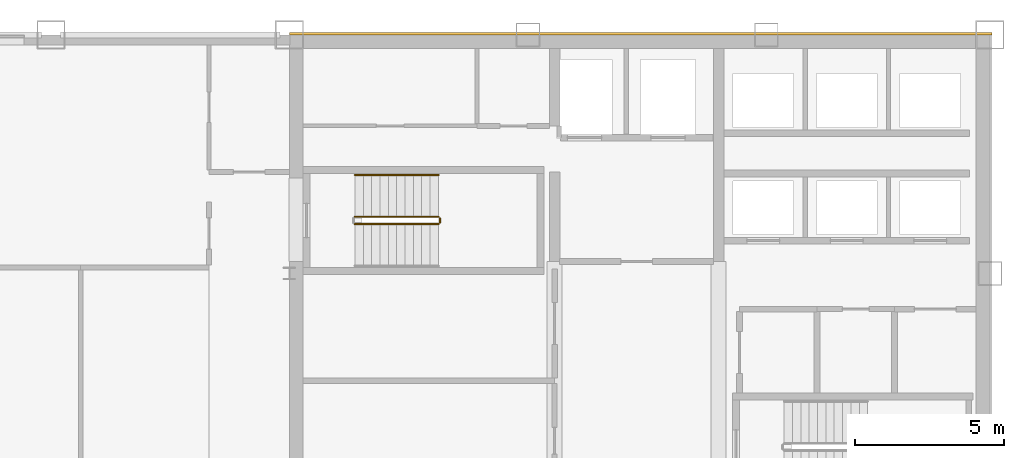
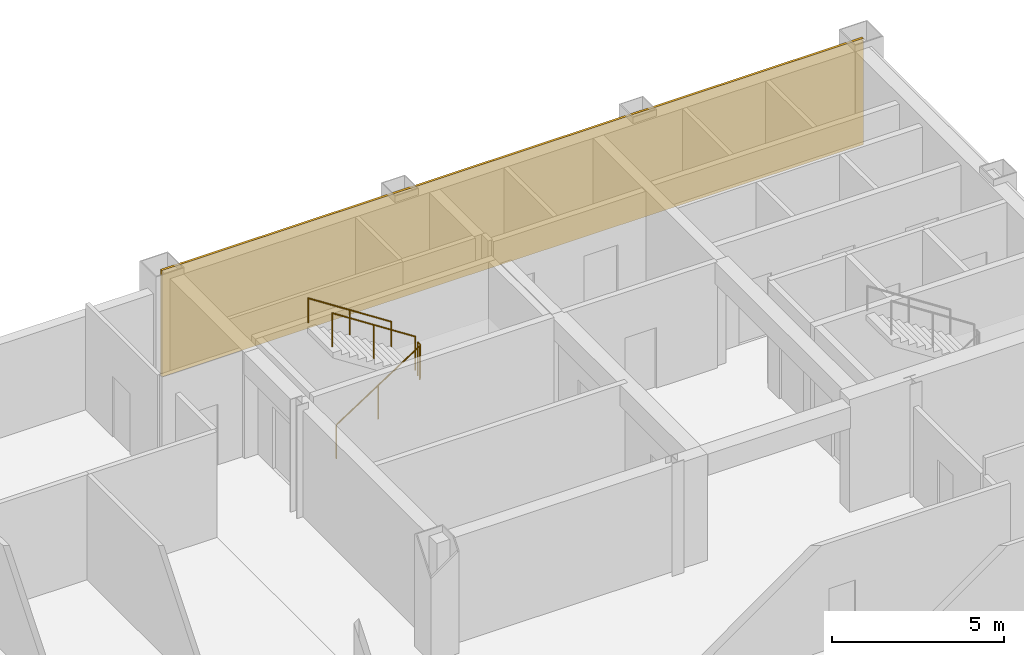
# One storey, part 11 of 11: 4 railings, 1 covering.
"""IFC4 building model written with IfcOpenShell, lengths in metres."""

from ifc_helpers import new_model, si_unit, direction, frame, origin, origin_2d, place, context, subcontext, project, spatial, rectangle, circle, extrude, material, layer, layer_set, type_object, element, save


model = new_model("IFC4")

# Units and contexts
model_context = context("Model", 3, precision=1e-05, world=origin(), true_north=direction((0.0, 1.0)))
body_context = subcontext(model_context, "Body", "Model", "MODEL_VIEW")
ifc_project = project(units=[si_unit("LENGTHUNIT", "METRE"), si_unit("AREAUNIT", "SQUARE_METRE"), si_unit("VOLUMEUNIT", "CUBIC_METRE"), si_unit("PLANEANGLEUNIT", "RADIAN"), si_unit("MASSUNIT", "GRAM", prefix="KILO")], contexts=[model_context])

# Site, building, storey
site_placement = place(None, origin())
site = spatial("IfcSite", under=ifc_project, at=site_placement, CompositionType="ELEMENT")
building_placement = place(site_placement, origin())
building = spatial("IfcBuilding", under=site, at=building_placement, Name="Qianrong Seaharbour Tower", CompositionType="ELEMENT")
storey_placement = place(building_placement, frame((0.0, 0.0, 273.800048828125)))
storey = spatial("IfcBuildingStorey", under=building, at=storey_placement, Name="L66", CompositionType="ELEMENT", Elevation=273.800048828125)

# Covering
ifc_material_1 = material(Name="Unitised red brick cladding on Precast concrete C45/55", Category="masonry")
ifc_layer = layer(ifc_material_1, 0.080078125)
ifc_layer_set = layer_set([ifc_layer], Name="Unitised red brick cladding on Precast concrete C45/55")
covering_type = type_object("IfcCoveringType", Name="COV-CLAD-RED-BRICK-80", PredefinedType="CLADDING", material=ifc_layer_set)
covering_placement = place(storey_placement, frame((52.2900390625, 52.0400390625, 0.0), z_axis=(0.0, 0.0, 1.0), x_axis=(1.0, 0.0, 0.0)))
element("IfcCovering", 1, at=covering_placement, inside=storey, type_object=covering_type, Name="L66 North Core Brick Veneer Cladding", PredefinedType="CLADDING", context=body_context, shape_type="SweptSolid", body=[
    extrude(rectangle(XDim=23.580078125, YDim=0.080078125, at=origin_2d()), origin(), (0.0, 0.0, 1.0), 3.77490234375),
])

# Railings
ifc_material_2 = material(Name="Galvanized painted steel SN400B stair guard", Category="steel")
railing_type_1 = type_object("IfcRailingType", Name="RAIL-STAIR-GUARD-1220", PredefinedType="GUARDRAIL", material=ifc_material_2)
railing_1_placement = place(storey_placement, frame((42.699951171875, 45.64990234375, 0.181884765625)))
element("IfcRailing", 2, at=railing_1_placement, inside=storey, type_object=railing_type_1, Name="L66 ST-1 stair guard 1", PredefinedType="GUARDRAIL", context=body_context, shape_type="SweptSolid", body=[
    extrude(circle(Radius=0.02392578125, at=origin_2d()), frame((0.0, 0.0, 1.19580078125), z_axis=(0.838705829183, 0.0, 0.544584733623), x_axis=(0.0, 1.0, 0.0)), (0.0, 0.0, 1.0), 3.338623046875),
    extrude(circle(Radius=0.02099609375, at=origin_2d()), origin(), (0.0, 0.0, 1.0), 1.171875),
    extrude(circle(Radius=0.02099609375, at=origin_2d()), frame((1.39990234375, 0.0, 0.9091796875)), (0.0, 0.0, 1.0), 1.171875),
    extrude(circle(Radius=0.02099609375, at=origin_2d()), frame((2.800048828125, 0.0, 1.818115234375)), (0.0, 0.0, 1.0), 1.171875),
])
railing_2_placement = place(storey_placement, frame((45.550048828125, 45.699951171875, 2.0)))
element("IfcRailing", 3, at=railing_2_placement, inside=storey, type_object=railing_type_1, Name="L66 ST-1 stair guard 2", PredefinedType="GUARDRAIL", context=body_context, shape_type="SweptSolid", body=[
    extrude(circle(Radius=0.02392578125, at=origin_2d()), frame((0.0, 0.0, 1.19580078125), z_axis=(0.0, 1.0, 0.0), x_axis=(-1.0, 0.0, 0.0)), (0.0, 0.0, 1.0), 0.150146484375),
    extrude(circle(Radius=0.02099609375, at=origin_2d()), origin(), (0.0, 0.0, 1.0), 1.171875),
    extrude(circle(Radius=0.02099609375, at=origin_2d()), frame((0.0, 0.150146484375, 0.0)), (0.0, 0.0, 1.0), 1.171875),
])
railing_3_placement = place(storey_placement, frame((45.5, 45.89990234375, 2.181884765625)))
element("IfcRailing", 4, at=railing_3_placement, inside=storey, type_object=railing_type_1, Name="L66 ST-1 stair guard 3", PredefinedType="GUARDRAIL", context=body_context, shape_type="SweptSolid", body=[
    extrude(circle(Radius=0.02392578125, at=origin_2d()), frame((0.0, 0.0, 1.19580078125), z_axis=(-0.838705829183, 0.0, 0.544584733623), x_axis=(0.0, -1.0, 0.0)), (0.0, 0.0, 1.0), 3.338623046875),
    extrude(circle(Radius=0.02099609375, at=origin_2d()), origin(), (0.0, 0.0, 1.0), 1.171875),
    extrude(circle(Radius=0.02099609375, at=origin_2d()), frame((-1.39990234375, 0.0, 0.9091796875)), (0.0, 0.0, 1.0), 1.171875),
    extrude(circle(Radius=0.02099609375, at=origin_2d()), frame((-2.800048828125, 0.0, 1.818115234375)), (0.0, 0.0, 1.0), 1.171875),
])
ifc_material_3 = material(Name="Stainless steel SUS316L continuous handrail", Category="steel")
railing_type_2 = type_object("IfcRailingType", Name="RAIL-STAIR-HANDRAIL-900", PredefinedType="HANDRAIL", material=ifc_material_3)
railing_4_placement = place(storey_placement, frame((45.5, 47.300048828125, 2.181884765625)))
element("IfcRailing", 5, at=railing_4_placement, inside=storey, type_object=railing_type_2, Name="L66 ST-1 stair handrail 2", PredefinedType="HANDRAIL", context=body_context, shape_type="SweptSolid", body=[
    extrude(circle(Radius=0.02392578125, at=origin_2d()), frame((0.0, 0.0, 0.8759765625), z_axis=(-0.838705829183, 0.0, 0.544584733623), x_axis=(0.0, -1.0, 0.0)), (0.0, 0.0, 1.0), 3.338623046875),
    extrude(circle(Radius=0.02099609375, at=origin_2d()), origin(), (0.0, 0.0, 1.0), 0.851806640625),
    extrude(circle(Radius=0.02099609375, at=origin_2d()), frame((-1.39990234375, 0.0, 0.9091796875)), (0.0, 0.0, 1.0), 0.851806640625),
    extrude(circle(Radius=0.02099609375, at=origin_2d()), frame((-2.800048828125, 0.0, 1.818115234375)), (0.0, 0.0, 1.0), 0.851806640625),
])

save(model, "model.ifc")
